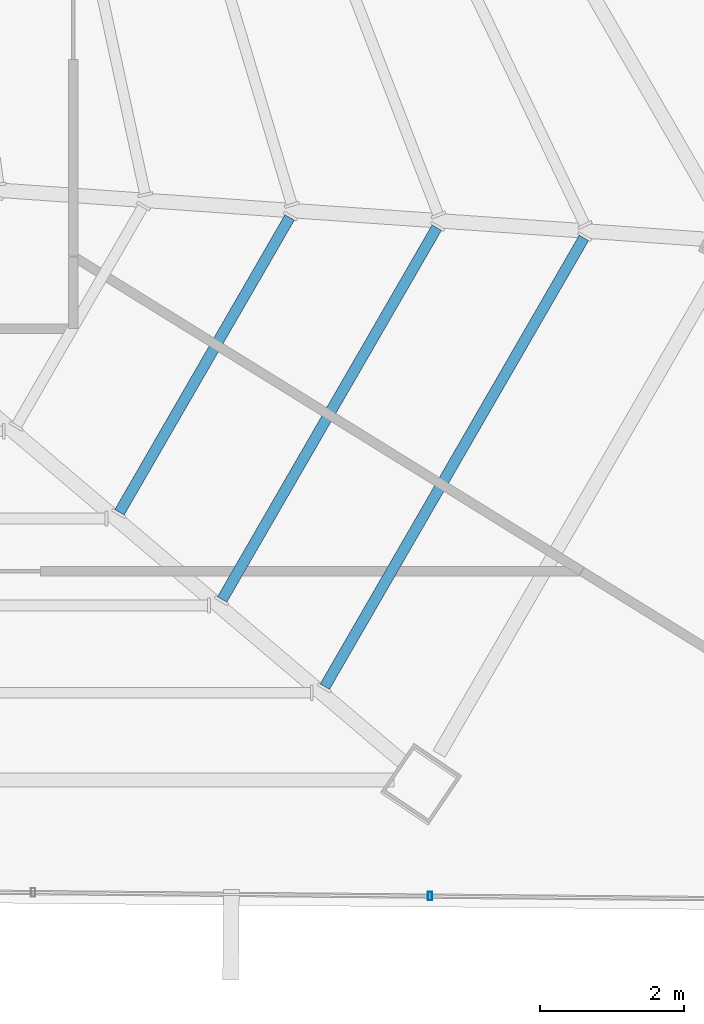
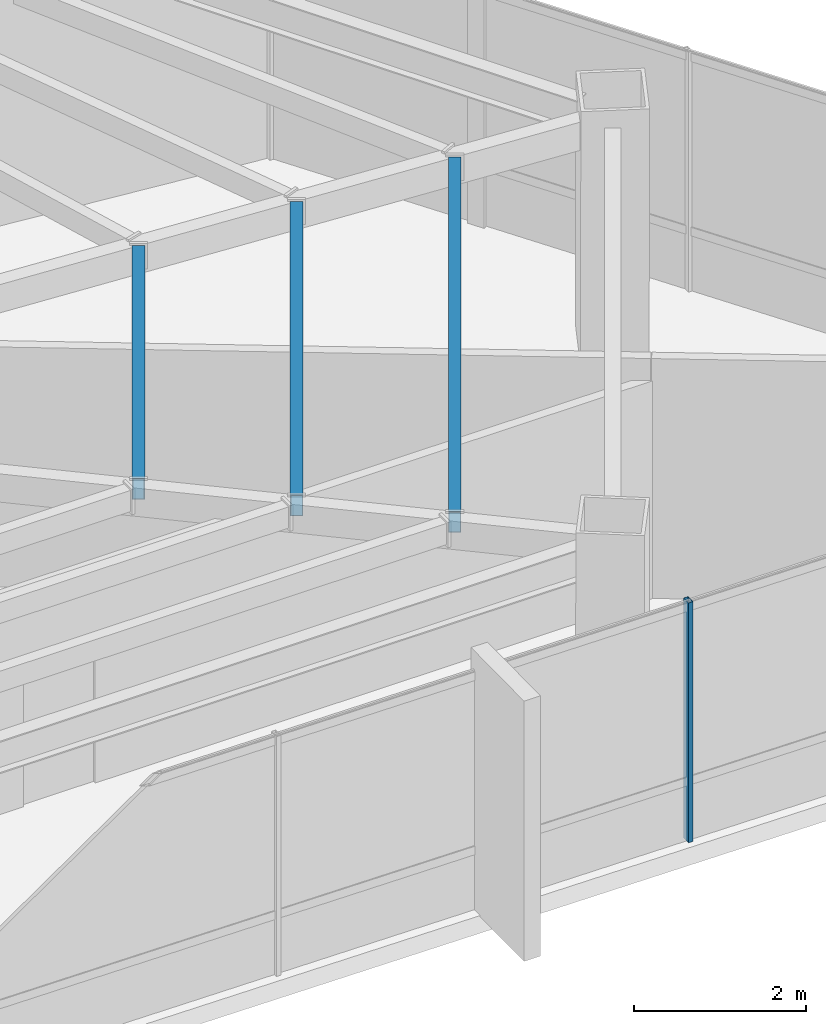
# One storey, part 23 of 49: 3 beams, 1 member, 1 element without a shape of its own.
"""IFC4 building model written with IfcOpenShell, lengths in metres."""

import ifcopenshell
import ifcopenshell.guid

model = None  # the IFC model being written
_history = None  # IfcOwnerHistory: only IFC2X3 demands one
_inside = {}  # id of a spatial element -> (the spatial element, [elements in it])
_under = {}  # id of a project, library or spatial element -> (it, [spatial elements below it])
_declared = {}  # id of a project -> (the project, [libraries it declares])
_typed = {}  # id of a type object -> (the type object, [elements of that type])
_made_of = {}  # id of a material, layer set ... -> (it, [elements and type objects made of it])


def new_model(schema):
    """Start an empty IFC model of exactly this schema.

    Asked for "IFC4X3", IfcOpenShell would pick the latest addendum, in which some entities
    have other attributes; the version numbers below select the first issue.
    IFC2X3 requires an IfcOwnerHistory on every rooted entity: one is made here for all.
    """
    global model, _history
    if schema == "IFC4X3":
        model = ifcopenshell.file(schema_version=(4, 3, 0, 0))
    else:
        model = ifcopenshell.file(schema=schema)
    _inside.clear()
    _under.clear()
    _declared.clear()
    _typed.clear()
    _made_of.clear()
    _history = None
    if model.schema == "IFC2X3":
        org = make("IfcOrganization", Name="unknown")
        user = make(
            "IfcPersonAndOrganization",
            ThePerson=make("IfcPerson", FamilyName="unknown"),
            TheOrganization=org,
        )
        app = make(
            "IfcApplication",
            ApplicationDeveloper=org,
            Version="unknown",
            ApplicationFullName="unknown",
            ApplicationIdentifier="unknown",
        )
        _history = make(
            "IfcOwnerHistory",
            OwningUser=user,
            OwningApplication=app,
            ChangeAction="ADDED",
            CreationDate=0,
        )
    return model


def make(cls, **values):
    """One entity of the class cls with the attributes given. An attribute that is None is left unset."""
    return model.create_entity(
        cls, **{name: value for name, value in values.items() if value is not None}
    )


def rooted(cls, **values):
    """An entity with a GlobalId (a new one), such as an element, a storey or a relation."""
    return make(cls, GlobalId=ifcopenshell.guid.new(), OwnerHistory=_history, **values)


def si_unit(unit_type, name, prefix=None):
    """IfcSIUnit, for example si_unit("LENGTHUNIT", "METRE", prefix="MILLI")."""
    return make("IfcSIUnit", UnitType=unit_type, Prefix=prefix, Name=name)


def assignment(units):
    """IfcUnitAssignment: the units of a project."""
    return None if units is None else make("IfcUnitAssignment", Units=units)


def point(xyz):
    """IfcCartesianPoint."""
    return None if xyz is None else make("IfcCartesianPoint", Coordinates=xyz)


def direction(xyz):
    """IfcDirection."""
    return None if xyz is None else make("IfcDirection", DirectionRatios=xyz)


def frame(location, z_axis=None, x_axis=None):
    """IfcAxis2Placement3D, a coordinate frame: its origin and axes. An axis left out is left unset."""
    return make(
        "IfcAxis2Placement3D",
        Location=point(location),
        Axis=direction(z_axis),
        RefDirection=direction(x_axis),
    )


def frame_2d(location, x_axis=None):
    """IfcAxis2Placement2D, a coordinate frame in the plane: its origin and x axis."""
    return make(
        "IfcAxis2Placement2D", Location=point(location), RefDirection=direction(x_axis)
    )


def origin():
    """The frame at (0, 0, 0) with its axes left unset."""
    return frame((0.0, 0.0, 0.0))


def origin_2d():
    """The frame at (0, 0) in the plane with its x axis left unset."""
    return frame_2d((0.0, 0.0))


def place(relative_to, where):
    """IfcLocalPlacement: puts the frame where relative to a parent placement (None: the world)."""
    return make(
        "IfcLocalPlacement", PlacementRelTo=relative_to, RelativePlacement=where
    )


def context(
    kind, dimensions, precision=None, world=None, true_north=None, identifier=None
):
    """IfcGeometricRepresentationContext, for example the 3D "Model" context."""
    return make(
        "IfcGeometricRepresentationContext",
        ContextIdentifier=identifier,
        ContextType=kind,
        CoordinateSpaceDimension=dimensions,
        Precision=precision,
        WorldCoordinateSystem=world,
        TrueNorth=true_north,
    )


def subcontext(parent, identifier, kind, view, scale=None):
    """IfcGeometricRepresentationSubContext, for example "Body" below "Model"."""
    return make(
        "IfcGeometricRepresentationSubContext",
        ContextIdentifier=identifier,
        ContextType=kind,
        ParentContext=parent,
        TargetScale=scale,
        TargetView=view,
    )


def project(units=None, contexts=None):
    """IfcProject with its units and contexts."""
    return rooted(
        "IfcProject",
        Name="project",
        RepresentationContexts=contexts,
        UnitsInContext=assignment(units),
    )


def spatial(cls, under=None, at=None, **own):
    """A site, building, storey or space (cls), placed at a placement, below another one or the project."""
    s = rooted(cls, ObjectPlacement=at, **own)
    if under is not None:
        _under.setdefault(under.id(), (under, []))[1].append(s)
    return s


def profile(cls, at=None, kind="AREA", **sizes):
    """A parametric profile (cls). Its sizes go by their IFC names, for example OverallWidth=200.0."""
    return make(cls, ProfileType=kind, Position=at, **sizes)


def hollow_rectangle(**sizes):
    """IfcRectangleHollowProfileDef."""
    return profile("IfcRectangleHollowProfileDef", **sizes)


def extrude(swept, where, along, depth):
    """IfcExtrudedAreaSolid: the profile swept, set in the frame where, extruded along a direction by depth."""
    return make(
        "IfcExtrudedAreaSolid",
        SweptArea=swept,
        Position=where,
        ExtrudedDirection=direction(along),
        Depth=depth,
    )


def shape(context_of_items, identifier, shape_type, items):
    """IfcShapeRepresentation: the items that make up one representation, for example the "Body"."""
    return make(
        "IfcShapeRepresentation",
        ContextOfItems=context_of_items,
        RepresentationIdentifier=identifier,
        RepresentationType=shape_type,
        Items=items,
    )


def source(mapping_origin, context_of_items, identifier, shape_type, items):
    """IfcRepresentationMap: a shape defined once, which mapped items show again and again."""
    return make(
        "IfcRepresentationMap",
        MappingOrigin=mapping_origin,
        MappedRepresentation=shape(context_of_items, identifier, shape_type, items),
    )


def transform(
    local_origin,
    x_axis=None,
    y_axis=None,
    z_axis=None,
    scale=None,
    scale2=None,
    scale3=None,
    uniform=True,
):
    """IfcCartesianTransformationOperator3D, or its non-uniform kind. x_axis, y_axis, z_axis: its Axis1, 2, 3."""
    if uniform:
        return make(
            "IfcCartesianTransformationOperator3D",
            Axis1=direction(x_axis),
            Axis2=direction(y_axis),
            LocalOrigin=point(local_origin),
            Scale=scale,
            Axis3=direction(z_axis),
        )
    return make(
        "IfcCartesianTransformationOperator3DnonUniform",
        Axis1=direction(x_axis),
        Axis2=direction(y_axis),
        LocalOrigin=point(local_origin),
        Scale=scale,
        Axis3=direction(z_axis),
        Scale2=scale2,
        Scale3=scale3,
    )


def mapped(mapping_source, mapping_target):
    """IfcMappedItem: shows the shape of a source again, moved by a transform."""
    return make(
        "IfcMappedItem", MappingSource=mapping_source, MappingTarget=mapping_target
    )


def material(Name=None, Category=None):
    """IfcMaterial."""
    return make("IfcMaterial", Name=Name, Category=Category)


def material_profile(
    of_material, cross_section, Name=None, Category=None, Priority=None
):
    """IfcMaterialProfile: a cross section and its material."""
    return make(
        "IfcMaterialProfile",
        Name=Name,
        Material=of_material,
        Profile=cross_section,
        Priority=Priority,
        Category=Category,
    )


def profile_set(profiles, Name=None, composite=None):
    """IfcMaterialProfileSet."""
    return make(
        "IfcMaterialProfileSet",
        Name=Name,
        MaterialProfiles=profiles,
        CompositeProfile=composite,
    )


def made_of(thing, what):
    """Note that an element or type object is made of a material, layer set ...; save() writes the relation."""
    if what is not None:
        _made_of.setdefault(what.id(), (what, []))[1].append(thing)
    return thing


def type_object(cls, material=None, **own):
    """A type object (cls), such as IfcWallType, which elements share."""
    return made_of(rooted(cls, **own), material)


def type_shapes(of_type, sources):
    """Give a type object the sources (RepresentationMaps) that its elements show as mapped items."""
    of_type.RepresentationMaps = sources


def element(
    cls,
    number,
    at=None,
    inside=None,
    cuts=None,
    type_object=None,
    material=None,
    context=None,
    identifier="Body",
    shape_type=None,
    held_by="IfcProductDefinitionShape",
    body=None,
    shapes=None,
    **own,
):
    """One element of the class cls, such as IfcWall. Its Tag is "e" and its number.

    at: its placement. inside: the storey or other place that contains it. cuts: it is an
    opening in that element (IfcRelVoidsElement). A single representation is given by context,
    identifier, shape_type and body (its items); several are given by shapes. held_by: the class
    of the entity that holds the representations. save() writes the other relations.
    """
    e = rooted(cls, Tag="e%d" % number, ObjectPlacement=at, **own)
    if body is not None:
        shapes = [shape(context, identifier, shape_type, body)]
    if shapes is not None:
        e.Representation = make(held_by, Representations=shapes)
    if inside is not None:
        _inside.setdefault(inside.id(), (inside, []))[1].append(e)
    if cuts is not None:
        rooted(
            "IfcRelVoidsElement", RelatingBuildingElement=cuts, RelatedOpeningElement=e
        )
    if type_object is not None:
        _typed.setdefault(type_object.id(), (type_object, []))[1].append(e)
    return made_of(e, material)


def aggregate(whole, parts):
    """IfcRelAggregates: a whole, such as a stair, and the parts it consists of."""
    return rooted("IfcRelAggregates", RelatingObject=whole, RelatedObjects=parts)


def save(model, path):
    """Write the relations noted so far, then the file.

    IfcRelAggregates (storeys below a building ...), IfcRelContainedInSpatialStructure (elements
    in a storey), IfcRelDefinesByType, IfcRelAssociatesMaterial and IfcRelDeclares: one each for
    every whole, place, type object, material and project.
    """
    for whole, parts in _under.values():
        aggregate(whole, parts)
    for where, things in _inside.values():
        rooted(
            "IfcRelContainedInSpatialStructure",
            RelatedElements=things,
            RelatingStructure=where,
        )
    for kind, things in _typed.values():
        rooted("IfcRelDefinesByType", RelatedObjects=things, RelatingType=kind)
    for what, things in _made_of.values():
        rooted("IfcRelAssociatesMaterial", RelatedObjects=things, RelatingMaterial=what)
    for by, libraries in _declared.values():
        rooted("IfcRelDeclares", RelatingContext=by, RelatedDefinitions=libraries)
    model.write(path)


model = new_model("IFC4")

# Units and contexts
model_context = context("Model", 3, precision=1e-05, world=origin(), true_north=direction((0.0, 1.0)))
body_context = subcontext(model_context, "Body", "Model", "MODEL_VIEW")
ifc_project = project(units=[si_unit("LENGTHUNIT", "METRE"), si_unit("AREAUNIT", "SQUARE_METRE"), si_unit("VOLUMEUNIT", "CUBIC_METRE"), si_unit("PLANEANGLEUNIT", "RADIAN"), si_unit("MASSUNIT", "GRAM", prefix="KILO")], contexts=[model_context])

# Site, building, storey
site_placement = place(None, origin())
site = spatial("IfcSite", under=ifc_project, at=site_placement, CompositionType="ELEMENT")
building_placement = place(site_placement, origin())
building = spatial("IfcBuilding", under=site, at=building_placement, Name="Caelisora Broadcast Tower", CompositionType="ELEMENT")
storey_placement = place(building_placement, frame((0.0, 0.0, 233.5)))
storey = spatial("IfcBuildingStorey", under=building, at=storey_placement, Name="L61", CompositionType="ELEMENT", Elevation=233.5)

# Beams
ifc_material_1 = material(Name="Steel Grade 350 (AS/NZS 1163 C350L0)", Category="steel")
ifc_material_profile_1 = material_profile(ifc_material_1, hollow_rectangle(XDim=0.14990234375, YDim=0.300048828125, WallThickness=0.010009765625, at=origin_2d()), Name="Steel Grade 350 (AS/NZS 1163 C350L0)")
ifc_profile_set_1 = profile_set([ifc_material_profile_1], Name="Steel Grade 350 (AS/NZS 1163 C350L0)")
beam_type = type_object("IfcBeamType", Name="SB05", PredefinedType="JOIST", material=ifc_profile_set_1)
shared_shape_1 = source(origin(), body_context, "Body", "SweptSolid", [
    extrude(hollow_rectangle(XDim=0.14990234375, YDim=0.300048828125, WallThickness=0.010009765625, at=origin_2d()), origin(), (0.0, 0.0, 1.0), 4.714111328125),
])
beam_1_placement = place(storey_placement, frame((51.237548828125, 12.6572265625, 3.25), z_axis=(0.500021316084, 0.866013096588, 0.0), x_axis=(-0.866013096588, 0.500021316084, 0.0)))
element("IfcBeam", 1, at=beam_1_placement, inside=storey, type_object=beam_type, Name="L61 beam SB05", PredefinedType="JOIST", context=body_context, shape_type="MappedRepresentation", body=[
    mapped(shared_shape_1, transform((0.0, 0.0, 0.0), scale=1.0)),
])
shared_shape_2 = source(origin(), body_context, "Body", "SweptSolid", [
    extrude(hollow_rectangle(XDim=0.14990234375, YDim=0.300048828125, WallThickness=0.010009765625, at=origin_2d()), origin(), (0.0, 0.0, 1.0), 5.9443359375),
])
beam_2_placement = place(storey_placement, frame((52.65966796875, 11.4501953125, 3.25), z_axis=(0.499999760469, 0.866025542078, 0.0), x_axis=(-0.866025542078, 0.499999760469, 0.0)))
element("IfcBeam", 2, at=beam_2_placement, inside=storey, type_object=beam_type, Name="L61 beam SB05", PredefinedType="JOIST", context=body_context, shape_type="MappedRepresentation", body=[
    mapped(shared_shape_2, transform((0.0, 0.0, 0.0), scale=1.0)),
])
shared_shape_3 = source(origin(), body_context, "Body", "SweptSolid", [
    extrude(hollow_rectangle(XDim=0.14990234375, YDim=0.300048828125, WallThickness=0.010009765625, at=origin_2d()), origin(), (0.0, 0.0, 1.0), 7.174560546875),
])
type_shapes(beam_type, [shared_shape_1, shared_shape_2, shared_shape_3])
beam_3_placement = place(storey_placement, frame((54.081787109375, 10.242919921875, 3.25), z_axis=(0.500011118242, 0.866018984569, 0.0), x_axis=(-0.866018984569, 0.500011118242, 0.0)))
element("IfcBeam", 3, at=beam_3_placement, inside=storey, type_object=beam_type, Name="L61 beam SB05", PredefinedType="JOIST", context=body_context, shape_type="MappedRepresentation", body=[
    mapped(shared_shape_3, transform((0.0, 0.0, 0.0), scale=1.0)),
])

# Curtain wall, member
ifc_material_2 = material(Name="Unitised Aluminium and Low-E Glass Curtain Wall", Category="glass")
curtain_wall_type = type_object("IfcCurtainWallType", Name="CW-Z5", PredefinedType="NOTDEFINED", material=ifc_material_2)
curtain_wall_placement = place(storey_placement, origin())
curtain_wall = element("IfcCurtainWall", 4, at=curtain_wall_placement, inside=storey, type_object=curtain_wall_type, Name="L61 curtain wall CW-Z5", PredefinedType="NOTDEFINED")
ifc_material_3 = material(Name="Aluminium 6063-T6 Anodised Terracotta Bronze", Category="aluminium")
ifc_material_profile_2 = material_profile(ifc_material_3, hollow_rectangle(XDim=0.06005859375, YDim=0.1201171875, WallThickness=0.0029296875, at=origin_2d()), Name="Aluminium 6063-T6 Anodised Terracotta Bronze")
ifc_profile_set_2 = profile_set([ifc_material_profile_2], Name="Aluminium 6063-T6 Anodised Terracotta Bronze")
member_type = type_object("IfcMemberType", Name="CWM-04", PredefinedType="MULLION", material=ifc_profile_set_2)
shared_shape_4 = source(origin(), body_context, "Body", "SweptSolid", [
    extrude(hollow_rectangle(XDim=0.06005859375, YDim=0.1201171875, WallThickness=0.0029296875, at=origin_2d()), origin(), (0.0, 0.0, 1.0), 3.39990234375),
])
type_shapes(member_type, [shared_shape_4])
member_placement = place(storey_placement, frame((55.5380859375, 7.341796875, 0.0), z_axis=(0.0, 0.0, 1.0), x_axis=(1.0, 0.0, 0.0)))
member = element("IfcMember", 5, at=member_placement, type_object=member_type, Name="L61-CW-B05 mullion #1", PredefinedType="MULLION", context=body_context, shape_type="MappedRepresentation", body=[
    mapped(shared_shape_4, transform((0.0, 0.0, 0.0), scale=1.0)),
])
aggregate(curtain_wall, [member])

save(model, "model.ifc")
